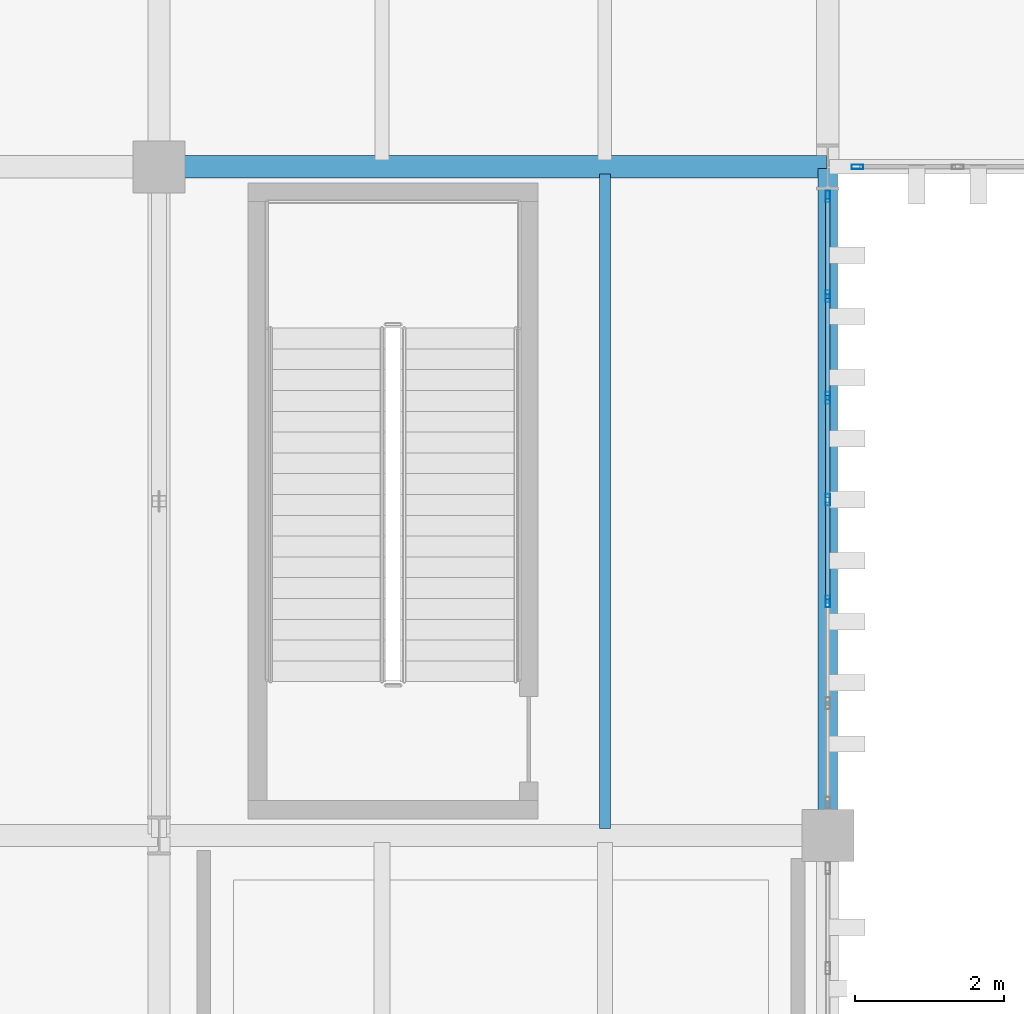
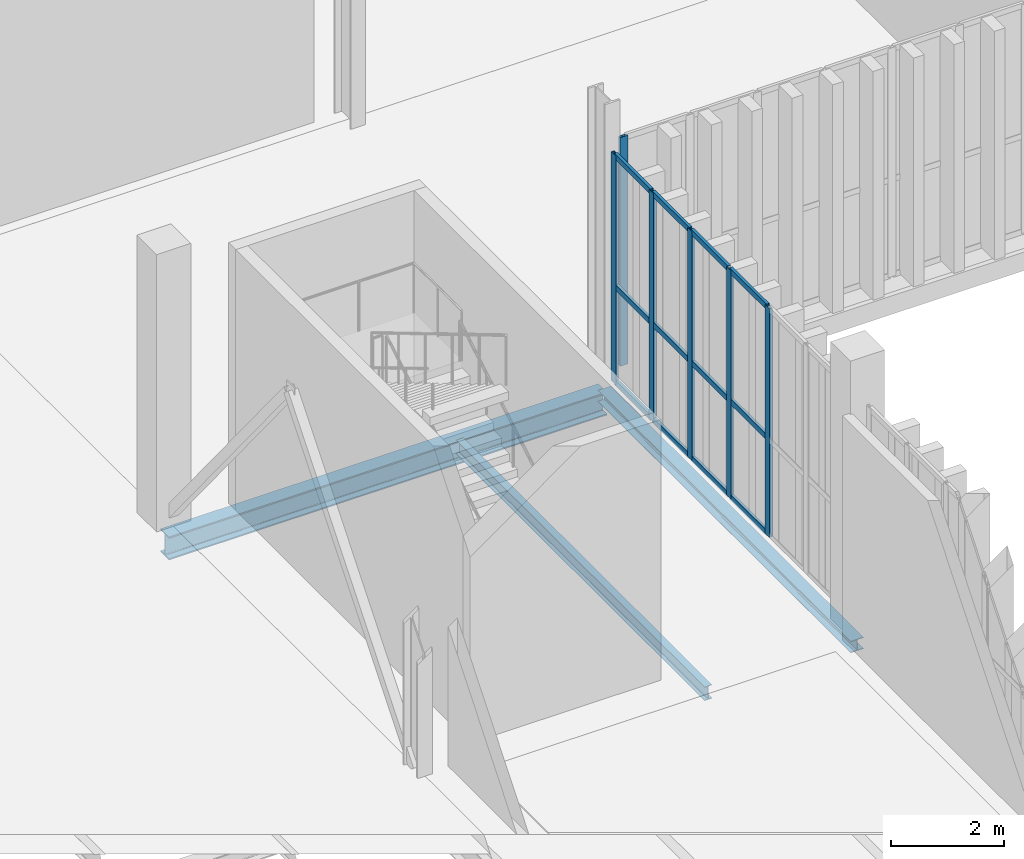
# One storey, part 110 of 211: 18 members, 3 beams, 2 elements without a shape of their own.
"""IFC4 building model written with IfcOpenShell, lengths in metres."""

from ifc_helpers import new_model, si_unit, direction, frame, origin, origin_2d, place, context, subcontext, project, spatial, hollow_rectangle, i_section, extrude, material, layer, layer_set, material_profile, profile_set, type_object, element, aggregate, save


model = new_model("IFC4")

# Units and contexts
model_context = context("Model", 3, precision=1e-05, world=origin(), true_north=direction((0.0, 1.0)))
body_context = subcontext(model_context, "Body", "Model", "MODEL_VIEW")
ifc_project = project(units=[si_unit("LENGTHUNIT", "METRE"), si_unit("AREAUNIT", "SQUARE_METRE"), si_unit("VOLUMEUNIT", "CUBIC_METRE"), si_unit("PLANEANGLEUNIT", "RADIAN"), si_unit("MASSUNIT", "GRAM", prefix="KILO")], contexts=[model_context])

# Site, building, storey
site_placement = place(None, origin())
site = spatial("IfcSite", under=ifc_project, at=site_placement, CompositionType="ELEMENT")
building_placement = place(site_placement, origin())
building = spatial("IfcBuilding", under=site, at=building_placement, Name="Barlavento Convention Centre", CompositionType="ELEMENT")
storey_placement = place(building_placement, frame((0.0, 0.0, 6.0)))
storey = spatial("IfcBuildingStorey", under=building, at=storey_placement, Name="L01", CompositionType="ELEMENT", Elevation=6.0)

# Curtain wall, member
ifc_material_1 = material(Name="Powder-coated aluminium and Low-E glass", Category="aluminium")
ifc_layer = layer(ifc_material_1, 0.195068359375)
ifc_layer_set = layer_set([ifc_layer], Name="ARC-CW-PATIO-A")
curtain_wall_type = type_object("IfcCurtainWallType", Name="ARC-CW-PATIO-A", PredefinedType="NOTDEFINED", material=ifc_layer_set)
curtain_wall_1_placement = place(storey_placement, origin())
curtain_wall_1 = element("IfcCurtainWall", 1, at=curtain_wall_1_placement, inside=storey, type_object=curtain_wall_type, Name="L01 unitised curtain wall CW11", PredefinedType="NOTDEFINED")
ifc_material_2 = material(Name="Powder-coated aluminium", Category="aluminium")
ifc_material_profile_1 = material_profile(ifc_material_2, hollow_rectangle(XDim=0.06005859375, YDim=0.159912109375, WallThickness=0.00390625, at=origin_2d()), Name="AL-MULL 60x160x4")
ifc_profile_set_1 = profile_set([ifc_material_profile_1], Name="Powder-coated aluminium")
member_type_1 = type_object("IfcMemberType", Name="ARC-CWM-60X160", PredefinedType="MULLION", material=ifc_profile_set_1)
member_1_placement = place(storey_placement, frame((135.39990234375, 90.0, 0.0), z_axis=(0.0, 0.0, 1.0), x_axis=(0.0, 1.0, 0.0)))
member_1 = element("IfcMember", 2, at=member_1_placement, type_object=member_type_1, Name="CW11 mullion 1", PredefinedType="MULLION", context=body_context, shape_type="SweptSolid", body=[
    extrude(hollow_rectangle(XDim=0.06005859375, YDim=0.159912109375, WallThickness=0.00390625, at=origin_2d()), origin(), (0.0, 0.0, 1.0), 4.949951171875),
])
aggregate(curtain_wall_1, [member_1])

# Curtain wall, members
curtain_wall_2_placement = place(storey_placement, origin())
curtain_wall_2 = element("IfcCurtainWall", 3, at=curtain_wall_2_placement, inside=storey, type_object=curtain_wall_type, Name="L01 unitised curtain wall CW11", PredefinedType="NOTDEFINED")
member_2_placement = place(storey_placement, frame((135.0, 84.14990234375, 0.0), z_axis=(0.0, 0.0, 1.0), x_axis=(-1.0, 0.0, 0.0)))
member_2 = element("IfcMember", 4, at=member_2_placement, type_object=member_type_1, Name="CW11 mullion 3", PredefinedType="MULLION", context=body_context, shape_type="SweptSolid", body=[
    extrude(hollow_rectangle(XDim=0.06005859375, YDim=0.159912109375, WallThickness=0.00390625, at=origin_2d()), origin(), (0.0, 0.0, 1.0), 4.949951171875),
])
member_3_placement = place(storey_placement, frame((135.0, 85.52001953125, 0.0), z_axis=(0.0, 0.0, 1.0), x_axis=(-1.0, 0.0, 0.0)))
member_3 = element("IfcMember", 5, at=member_3_placement, type_object=member_type_1, Name="CW11 mullion 4", PredefinedType="MULLION", context=body_context, shape_type="SweptSolid", body=[
    extrude(hollow_rectangle(XDim=0.06005859375, YDim=0.159912109375, WallThickness=0.00390625, at=origin_2d()), origin(), (0.0, 0.0, 1.0), 4.949951171875),
])
member_4_placement = place(storey_placement, frame((135.0, 86.889892578125, 0.0), z_axis=(0.0, 0.0, 1.0), x_axis=(-1.0, 0.0, 0.0)))
member_4 = element("IfcMember", 6, at=member_4_placement, type_object=member_type_1, Name="CW11 mullion 5", PredefinedType="MULLION", context=body_context, shape_type="SweptSolid", body=[
    extrude(hollow_rectangle(XDim=0.06005859375, YDim=0.159912109375, WallThickness=0.00390625, at=origin_2d()), origin(), (0.0, 0.0, 1.0), 4.949951171875),
])
member_5_placement = place(storey_placement, frame((135.0, 88.260009765625, 0.0), z_axis=(0.0, 0.0, 1.0), x_axis=(-1.0, 0.0, 0.0)))
member_5 = element("IfcMember", 7, at=member_5_placement, type_object=member_type_1, Name="CW11 mullion 6", PredefinedType="MULLION", context=body_context, shape_type="SweptSolid", body=[
    extrude(hollow_rectangle(XDim=0.06005859375, YDim=0.159912109375, WallThickness=0.00390625, at=origin_2d()), origin(), (0.0, 0.0, 1.0), 4.949951171875),
])
member_6_placement = place(storey_placement, frame((135.0, 89.60009765625, 0.0), z_axis=(0.0, 0.0, 1.0), x_axis=(-1.0, 0.0, 0.0)))
member_6 = element("IfcMember", 8, at=member_6_placement, type_object=member_type_1, Name="CW11 mullion 7", PredefinedType="MULLION", context=body_context, shape_type="SweptSolid", body=[
    extrude(hollow_rectangle(XDim=0.06005859375, YDim=0.159912109375, WallThickness=0.00390625, at=origin_2d()), origin(), (0.0, 0.0, 1.0), 4.949951171875),
])
ifc_material_profile_2 = material_profile(ifc_material_2, hollow_rectangle(XDim=0.06005859375, YDim=0.1201171875, WallThickness=0.00390625, at=origin_2d()), Name="AL-TRAN 60x120x4")
ifc_profile_set_2 = profile_set([ifc_material_profile_2], Name="Powder-coated aluminium")
member_type_2 = type_object("IfcMemberType", Name="ARC-CWT-60X120", PredefinedType="USERDEFINED", material=ifc_profile_set_2)
member_7_placement = place(storey_placement, frame((135.0, 84.179931640625, 0.030029296875), z_axis=(0.0, 1.0, 0.0), x_axis=(-1.0, 0.0, 0.0)))
member_7 = element("IfcMember", 9, at=member_7_placement, type_object=member_type_2, Name="CW11 transom 3.1", ObjectType="TRANSOM", PredefinedType="USERDEFINED", context=body_context, shape_type="SweptSolid", body=[
    extrude(hollow_rectangle(XDim=0.06005859375, YDim=0.1201171875, WallThickness=0.00390625, at=origin_2d()), origin(), (0.0, 0.0, 1.0), 1.31005859375),
])
member_8_placement = place(storey_placement, frame((135.0, 84.179931640625, 2.10009765625), z_axis=(0.0, 1.0, 0.0), x_axis=(-1.0, 0.0, 0.0)))
member_8 = element("IfcMember", 10, at=member_8_placement, type_object=member_type_2, Name="CW11 transom 3.2", ObjectType="TRANSOM", PredefinedType="USERDEFINED", context=body_context, shape_type="SweptSolid", body=[
    extrude(hollow_rectangle(XDim=0.06005859375, YDim=0.1201171875, WallThickness=0.00390625, at=origin_2d()), origin(), (0.0, 0.0, 1.0), 1.31005859375),
])
member_9_placement = place(storey_placement, frame((135.0, 84.179931640625, 4.919921875), z_axis=(0.0, 1.0, 0.0), x_axis=(-1.0, 0.0, 0.0)))
member_9 = element("IfcMember", 11, at=member_9_placement, type_object=member_type_2, Name="CW11 transom 3.3", ObjectType="TRANSOM", PredefinedType="USERDEFINED", context=body_context, shape_type="SweptSolid", body=[
    extrude(hollow_rectangle(XDim=0.06005859375, YDim=0.1201171875, WallThickness=0.00390625, at=origin_2d()), origin(), (0.0, 0.0, 1.0), 1.31005859375),
])
member_10_placement = place(storey_placement, frame((135.0, 85.550048828125, 0.030029296875), z_axis=(0.0, 1.0, 0.0), x_axis=(-1.0, 0.0, 0.0)))
member_10 = element("IfcMember", 12, at=member_10_placement, type_object=member_type_2, Name="CW11 transom 4.1", ObjectType="TRANSOM", PredefinedType="USERDEFINED", context=body_context, shape_type="SweptSolid", body=[
    extrude(hollow_rectangle(XDim=0.06005859375, YDim=0.1201171875, WallThickness=0.00390625, at=origin_2d()), origin(), (0.0, 0.0, 1.0), 1.31005859375),
])
member_11_placement = place(storey_placement, frame((135.0, 85.550048828125, 2.10009765625), z_axis=(0.0, 1.0, 0.0), x_axis=(-1.0, 0.0, 0.0)))
member_11 = element("IfcMember", 13, at=member_11_placement, type_object=member_type_2, Name="CW11 transom 4.2", ObjectType="TRANSOM", PredefinedType="USERDEFINED", context=body_context, shape_type="SweptSolid", body=[
    extrude(hollow_rectangle(XDim=0.06005859375, YDim=0.1201171875, WallThickness=0.00390625, at=origin_2d()), origin(), (0.0, 0.0, 1.0), 1.31005859375),
])
member_12_placement = place(storey_placement, frame((135.0, 85.550048828125, 4.919921875), z_axis=(0.0, 1.0, 0.0), x_axis=(-1.0, 0.0, 0.0)))
member_12 = element("IfcMember", 14, at=member_12_placement, type_object=member_type_2, Name="CW11 transom 4.3", ObjectType="TRANSOM", PredefinedType="USERDEFINED", context=body_context, shape_type="SweptSolid", body=[
    extrude(hollow_rectangle(XDim=0.06005859375, YDim=0.1201171875, WallThickness=0.00390625, at=origin_2d()), origin(), (0.0, 0.0, 1.0), 1.31005859375),
])
member_13_placement = place(storey_placement, frame((135.0, 86.919921875, 0.030029296875), z_axis=(0.0, 1.0, 0.0), x_axis=(-1.0, 0.0, 0.0)))
member_13 = element("IfcMember", 15, at=member_13_placement, type_object=member_type_2, Name="CW11 transom 5.1", ObjectType="TRANSOM", PredefinedType="USERDEFINED", context=body_context, shape_type="SweptSolid", body=[
    extrude(hollow_rectangle(XDim=0.06005859375, YDim=0.1201171875, WallThickness=0.00390625, at=origin_2d()), origin(), (0.0, 0.0, 1.0), 1.31005859375),
])
member_14_placement = place(storey_placement, frame((135.0, 86.919921875, 2.10009765625), z_axis=(0.0, 1.0, 0.0), x_axis=(-1.0, 0.0, 0.0)))
member_14 = element("IfcMember", 16, at=member_14_placement, type_object=member_type_2, Name="CW11 transom 5.2", ObjectType="TRANSOM", PredefinedType="USERDEFINED", context=body_context, shape_type="SweptSolid", body=[
    extrude(hollow_rectangle(XDim=0.06005859375, YDim=0.1201171875, WallThickness=0.00390625, at=origin_2d()), origin(), (0.0, 0.0, 1.0), 1.31005859375),
])
member_15_placement = place(storey_placement, frame((135.0, 86.919921875, 4.919921875), z_axis=(0.0, 1.0, 0.0), x_axis=(-1.0, 0.0, 0.0)))
member_15 = element("IfcMember", 17, at=member_15_placement, type_object=member_type_2, Name="CW11 transom 5.3", ObjectType="TRANSOM", PredefinedType="USERDEFINED", context=body_context, shape_type="SweptSolid", body=[
    extrude(hollow_rectangle(XDim=0.06005859375, YDim=0.1201171875, WallThickness=0.00390625, at=origin_2d()), origin(), (0.0, 0.0, 1.0), 1.31005859375),
])
member_16_placement = place(storey_placement, frame((135.0, 88.2900390625, 0.030029296875), z_axis=(0.0, 1.0, 0.0), x_axis=(-1.0, 0.0, 0.0)))
member_16 = element("IfcMember", 18, at=member_16_placement, type_object=member_type_2, Name="CW11 transom 6.1", ObjectType="TRANSOM", PredefinedType="USERDEFINED", context=body_context, shape_type="SweptSolid", body=[
    extrude(hollow_rectangle(XDim=0.06005859375, YDim=0.1201171875, WallThickness=0.00390625, at=origin_2d()), origin(), (0.0, 0.0, 1.0), 1.280029296875),
])
member_17_placement = place(storey_placement, frame((135.0, 88.2900390625, 2.10009765625), z_axis=(0.0, 1.0, 0.0), x_axis=(-1.0, 0.0, 0.0)))
member_17 = element("IfcMember", 19, at=member_17_placement, type_object=member_type_2, Name="CW11 transom 6.2", ObjectType="TRANSOM", PredefinedType="USERDEFINED", context=body_context, shape_type="SweptSolid", body=[
    extrude(hollow_rectangle(XDim=0.06005859375, YDim=0.1201171875, WallThickness=0.00390625, at=origin_2d()), origin(), (0.0, 0.0, 1.0), 1.280029296875),
])
member_18_placement = place(storey_placement, frame((135.0, 88.2900390625, 4.919921875), z_axis=(0.0, 1.0, 0.0), x_axis=(-1.0, 0.0, 0.0)))
member_18 = element("IfcMember", 20, at=member_18_placement, type_object=member_type_2, Name="CW11 transom 6.3", ObjectType="TRANSOM", PredefinedType="USERDEFINED", context=body_context, shape_type="SweptSolid", body=[
    extrude(hollow_rectangle(XDim=0.06005859375, YDim=0.1201171875, WallThickness=0.00390625, at=origin_2d()), origin(), (0.0, 0.0, 1.0), 1.280029296875),
])
aggregate(curtain_wall_2, [member_2, member_3, member_4, member_5, member_6, member_7, member_8, member_9, member_10, member_11, member_12, member_13, member_14, member_15, member_16, member_17, member_18])

# Beams
ifc_material_3 = material(Name="Steel S355", Category="steel")
ifc_material_profile_3 = material_profile(ifc_material_3, i_section(OverallWidth=0.14990234375, OverallDepth=0.300048828125, WebThickness=0.007080078125, FlangeThickness=0.0107421875, FilletRadius=0.014892578125, at=origin_2d()), Name="IPE 300")
ifc_profile_set_3 = profile_set([ifc_material_profile_3], Name="Steel S355")
beam_type_1 = type_object("IfcBeamType", Name="STR-BM-JST-IPE300", PredefinedType="JOIST", material=ifc_profile_set_3)
beam_1_placement = place(storey_placement, frame((132.0, 81.094970703125, -0.510009765625), z_axis=(0.0, 1.0, 0.0), x_axis=(-1.0, 0.0, 0.0)))
element("IfcBeam", 21, at=beam_1_placement, inside=storey, type_object=beam_type_1, Name="L01 composite floor joist SJ07", PredefinedType="JOIST", context=body_context, shape_type="SweptSolid", body=[
    extrude(i_section(OverallWidth=0.14990234375, OverallDepth=0.300048828125, WebThickness=0.007080078125, FlangeThickness=0.0107421875, FilletRadius=0.014892578125, at=origin_2d()), origin(), (0.0, 0.0, 1.0), 8.81005859375),
])
ifc_material_profile_4 = material_profile(ifc_material_3, i_section(OverallWidth=0.300048828125, OverallDepth=0.5, WebThickness=0.014404296875, FlangeThickness=0.028076171875, FilletRadius=0.027099609375, at=origin_2d()), Name="HEB 500")
ifc_profile_set_4 = profile_set([ifc_material_profile_4], Name="Steel S355")
beam_type_2 = type_object("IfcBeamType", Name="STR-BM-PRI-HEB500", PredefinedType="BEAM", material=ifc_profile_set_4)
beam_2_placement = place(storey_placement, frame((126.02001953125, 90.0, -0.610107421875), z_axis=(1.0, 0.0, 0.0), x_axis=(0.0, 1.0, 0.0)))
element("IfcBeam", 22, at=beam_2_placement, inside=storey, type_object=beam_type_2, Name="L01 primary girder BG09", PredefinedType="BEAM", context=body_context, shape_type="SweptSolid", body=[
    extrude(i_section(OverallWidth=0.300048828125, OverallDepth=0.5, WebThickness=0.014404296875, FlangeThickness=0.028076171875, FilletRadius=0.027099609375, at=origin_2d()), origin(), (0.0, 0.0, 1.0), 8.9599609375),
])
ifc_material_profile_5 = material_profile(ifc_material_3, i_section(OverallWidth=0.260009765625, OverallDepth=0.25, WebThickness=0.007568359375, FlangeThickness=0.012451171875, FilletRadius=0.02392578125, at=origin_2d()), Name="HEA 260")
ifc_profile_set_5 = profile_set([ifc_material_profile_5], Name="Steel S355")
beam_type_3 = type_object("IfcBeamType", Name="STR-BM-SPN-HEA260", PredefinedType="SPANDREL", material=ifc_profile_set_5)
beam_3_placement = place(storey_placement, frame((135.0, 81.02001953125, -0.485107421875), z_axis=(0.0, 1.0, 0.0), x_axis=(-1.0, 0.0, 0.0)))
element("IfcBeam", 23, at=beam_3_placement, inside=storey, type_object=beam_type_3, Name="L01 grid girder SP04", PredefinedType="SPANDREL", context=body_context, shape_type="SweptSolid", body=[
    extrude(i_section(OverallWidth=0.260009765625, OverallDepth=0.25, WebThickness=0.007568359375, FlangeThickness=0.012451171875, FilletRadius=0.02392578125, at=origin_2d()), origin(), (0.0, 0.0, 1.0), 8.9599609375),
])

save(model, "model.ifc")
